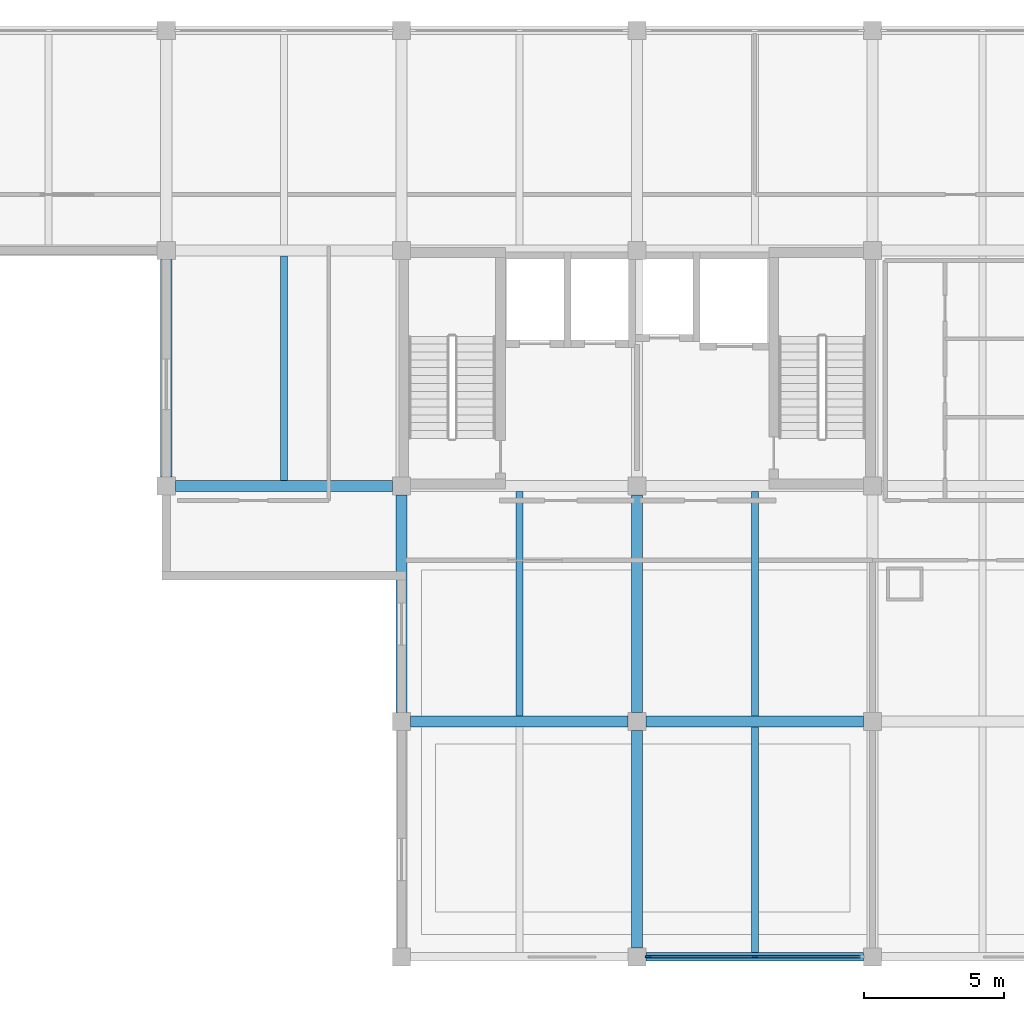
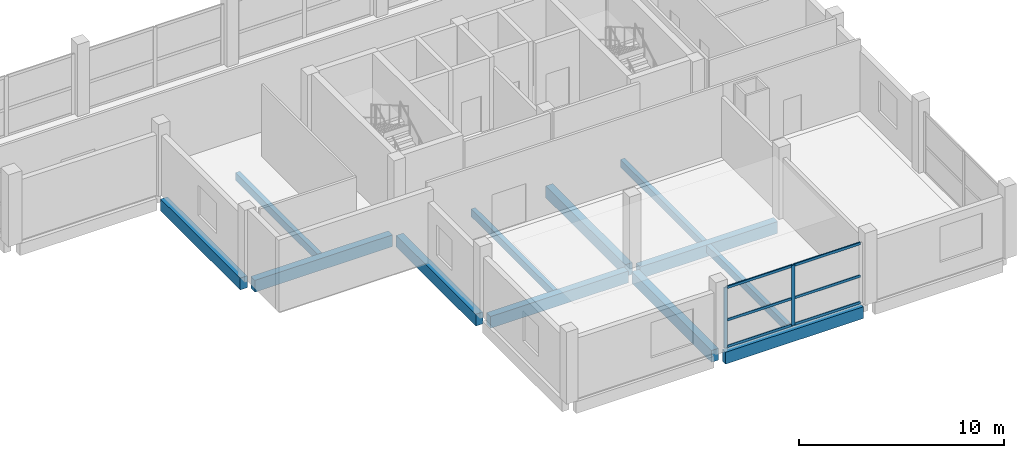
# One storey, part 2 of 9: 12 beams, 8 members, 1 element without a shape of its own.
"""IFC4 building model written with IfcOpenShell, lengths in metres."""

from ifc_helpers import new_model, si_unit, direction, frame, origin, origin_2d, place, context, subcontext, project, spatial, rectangle, extrude, material, material_profile, profile_set, type_object, element, aggregate, save


model = new_model("IFC4")

# Units and contexts
model_context = context("Model", 3, precision=1e-05, world=origin(), true_north=direction((0.0, 1.0)))
body_context = subcontext(model_context, "Body", "Model", "MODEL_VIEW")
ifc_project = project(units=[si_unit("LENGTHUNIT", "METRE"), si_unit("AREAUNIT", "SQUARE_METRE"), si_unit("VOLUMEUNIT", "CUBIC_METRE"), si_unit("PLANEANGLEUNIT", "RADIAN"), si_unit("MASSUNIT", "GRAM", prefix="KILO")], contexts=[model_context])

# Site, building, storey
site_placement = place(None, origin())
site = spatial("IfcSite", under=ifc_project, at=site_placement, CompositionType="ELEMENT")
building_placement = place(site_placement, origin())
building = spatial("IfcBuilding", under=site, at=building_placement, Name="Brinegate Botanical Conservatory", CompositionType="ELEMENT")
storey_placement = place(building_placement, frame((0.0, 0.0, 61.199951171875)))
storey = spatial("IfcBuildingStorey", under=building, at=storey_placement, Name="L15", CompositionType="ELEMENT", Elevation=61.199951171875)

# Beams
ifc_material_1 = material(Name="Concrete C40/50", Category="concrete")
ifc_material_profile_1 = material_profile(ifc_material_1, rectangle(XDim=0.39990234375, YDim=0.699951171875, at=origin_2d()), Name="RC BM 400x700")
ifc_profile_set_1 = profile_set([ifc_material_profile_1], Name="Concrete C40/50")
beam_type_1 = type_object("IfcBeamType", Name="Beam_BM-T2", PredefinedType="BEAM", material=ifc_profile_set_1)
for number, where, z_axis, x_axis, name in (
    (1, (139.125, 86.800048828125, -0.530029296875), (1.0, 0.0, 0.0), (0.0, 1.0, 0.0), "Beam BM-T2 L15 L:18-19"),
    (2, (147.52490234375, 86.800048828125, -0.530029296875), (1.0, 0.0, 0.0), (0.0, 1.0, 0.0), "Beam BM-T2 L15 L:19-20"),
    (3, (130.72509765625, 95.199951171875, -0.530029296875), (1.0, 0.0, 0.0), (0.0, 1.0, 0.0), "Beam BM-T2 L15 M:17-18"),
    (4, (130.39990234375, 95.52490234375, -0.530029296875), (0.0, 1.0, 0.0), (-1.0, 0.0, 0.0), "Beam BM-T2 L15 17:M-N"),
    (5, (138.800048828125, 87.125, -0.530029296875), (0.0, 1.0, 0.0), (-1.0, 0.0, 0.0), "Beam BM-T2 L15 18:L-M"),
    (6, (147.199951171875, 78.72509765625, -0.530029296875), (0.0, 1.0, 0.0), (-1.0, 0.0, 0.0), "Beam BM-T2 L15 19:K-L"),
    (7, (147.199951171875, 87.125, -0.530029296875), (0.0, 1.0, 0.0), (-1.0, 0.0, 0.0), "Beam BM-T2 L15 19:L-M"),
):
    element("IfcBeam", number, at=place(storey_placement, frame(where, z_axis=z_axis, x_axis=x_axis)), inside=storey, type_object=beam_type_1, Name=name, PredefinedType="BEAM", context=body_context, shape_type="SweptSolid", body=[
        extrude(rectangle(XDim=0.39990234375, YDim=0.699951171875, at=origin_2d()), origin(), (0.0, 0.0, 1.0), 7.75),
    ])
ifc_material_profile_2 = material_profile(ifc_material_1, rectangle(XDim=0.25, YDim=0.449951171875, at=origin_2d()), Name="RC JST 250x450")
ifc_profile_set_2 = profile_set([ifc_material_profile_2], Name="Concrete C40/50")
beam_type_2 = type_object("IfcBeamType", Name="Beam_JS-C3", PredefinedType="JOIST", material=ifc_profile_set_2)
for number, where, z_axis, x_axis, name in (
    (8, (134.60009765625, 95.39990234375, -0.405029296875), (0.0, 1.0, 0.0), (-1.0, 0.0, 0.0), "Floor joist JS-C3 L15 bay 17.12"),
    (9, (143.0, 87.0, -0.405029296875), (0.0, 1.0, 0.0), (-1.0, 0.0, 0.0), "Floor joist JS-C3 L15 bay 18.11"),
):
    element("IfcBeam", number, at=place(storey_placement, frame(where, z_axis=z_axis, x_axis=x_axis)), inside=storey, type_object=beam_type_2, Name=name, PredefinedType="JOIST", context=body_context, shape_type="SweptSolid", body=[
        extrude(rectangle(XDim=0.25, YDim=0.449951171875, at=origin_2d()), origin(), (0.0, 0.0, 1.0), 8.0),
    ])
beam_1_placement = place(storey_placement, frame((151.39990234375, 78.550048828125, -0.405029296875), z_axis=(0.0, 1.0, 0.0), x_axis=(-1.0, 0.0, 0.0)))
element("IfcBeam", 10, at=beam_1_placement, inside=storey, type_object=beam_type_2, Name="Floor joist JS-C3 L15 bay 19.10", PredefinedType="JOIST", context=body_context, shape_type="SweptSolid", body=[
    extrude(rectangle(XDim=0.25, YDim=0.449951171875, at=origin_2d()), origin(), (0.0, 0.0, 1.0), 8.050048828125),
])
beam_2_placement = place(storey_placement, frame((151.39990234375, 87.0, -0.405029296875), z_axis=(0.0, 1.0, 0.0), x_axis=(-1.0, 0.0, 0.0)))
element("IfcBeam", 11, at=beam_2_placement, inside=storey, type_object=beam_type_2, Name="Floor joist JS-C3 L15 bay 19.11", PredefinedType="JOIST", context=body_context, shape_type="SweptSolid", body=[
    extrude(rectangle(XDim=0.25, YDim=0.449951171875, at=origin_2d()), origin(), (0.0, 0.0, 1.0), 8.0),
])
ifc_material_profile_3 = material_profile(ifc_material_1, rectangle(XDim=0.300048828125, YDim=0.699951171875, at=origin_2d()), Name="RC SPN 300x700")
ifc_profile_set_3 = profile_set([ifc_material_profile_3], Name="Concrete C40/50")
beam_type_3 = type_object("IfcBeamType", Name="Beam_SP-02", PredefinedType="SPANDREL", material=ifc_profile_set_3)
beam_3_placement = place(storey_placement, frame((147.52490234375, 78.39990234375, -0.530029296875), z_axis=(1.0, 0.0, 0.0), x_axis=(0.0, 1.0, 0.0)))
element("IfcBeam", 12, at=beam_3_placement, inside=storey, type_object=beam_type_3, Name="Beam SP-02 L15 K:19-20", PredefinedType="SPANDREL", context=body_context, shape_type="SweptSolid", body=[
    extrude(rectangle(XDim=0.300048828125, YDim=0.699951171875, at=origin_2d()), origin(), (0.0, 0.0, 1.0), 7.75),
])

# Curtain wall, members
ifc_material_2 = material(Name="Thermally broken anodised aluminium AW-6063-T6", Category="aluminium")
curtain_wall_type = type_object("IfcCurtainWallType", Name="CW_CW-TW2", PredefinedType="USERDEFINED", material=ifc_material_2)
curtain_wall_placement = place(storey_placement, origin())
curtain_wall = element("IfcCurtainWall", 13, at=curtain_wall_placement, inside=storey, type_object=curtain_wall_type, Name="Tower south curtain wall L15.2", ObjectType="FACTORY CURTAIN WALL", PredefinedType="USERDEFINED")
ifc_material_profile_4 = material_profile(ifc_material_2, rectangle(XDim=0.070068359375, YDim=0.199951171875, at=origin_2d()), Name="ALUM MULLION 70x200")
ifc_profile_set_4 = profile_set([ifc_material_profile_4], Name="Thermally broken anodised aluminium AW-6063-T6")
member_type_1 = type_object("IfcMemberType", Name="Member_ML-03", PredefinedType="MULLION", material=ifc_profile_set_4)
member_1_placement = place(storey_placement, frame((151.39990234375, 78.39990234375, 0.0), z_axis=(0.0, 0.0, 1.0), x_axis=(0.0, -1.0, 0.0)))
member_1 = element("IfcMember", 14, at=member_1_placement, type_object=member_type_1, Name="CW-TW2 mullion 2", PredefinedType="MULLION", context=body_context, shape_type="SweptSolid", body=[
    extrude(rectangle(XDim=0.070068359375, YDim=0.199951171875, at=origin_2d()), origin(), (0.0, 0.0, 1.0), 3.580078125),
])
member_2_placement = place(storey_placement, frame((147.60009765625, 78.39990234375, 0.0), z_axis=(0.0, 0.0, 1.0), x_axis=(0.0, -1.0, 0.0)))
member_2 = element("IfcMember", 15, at=member_2_placement, type_object=member_type_1, Name="CW-TW2 mullion 3", PredefinedType="MULLION", context=body_context, shape_type="SweptSolid", body=[
    extrude(rectangle(XDim=0.070068359375, YDim=0.199951171875, at=origin_2d()), origin(), (0.0, 0.0, 1.0), 3.580078125),
])
ifc_material_profile_5 = material_profile(ifc_material_2, rectangle(XDim=0.070068359375, YDim=0.14990234375, at=origin_2d()), Name="ALUM TRANSOM 70x150")
ifc_profile_set_5 = profile_set([ifc_material_profile_5], Name="Thermally broken anodised aluminium AW-6063-T6")
member_type_2 = type_object("IfcMemberType", Name="Member_TR-03", PredefinedType="USERDEFINED", material=ifc_profile_set_5)
member_3_placement = place(storey_placement, frame((155.1650390625, 78.39990234375, 0.03515625), z_axis=(-1.0, 0.0, 0.0), x_axis=(0.0, -1.0, 0.0)))
member_3 = element("IfcMember", 16, at=member_3_placement, type_object=member_type_2, Name="CW-TW2 transom 1.1", ObjectType="TRANSOM", PredefinedType="USERDEFINED", context=body_context, shape_type="SweptSolid", body=[
    extrude(rectangle(XDim=0.070068359375, YDim=0.14990234375, at=origin_2d()), origin(), (0.0, 0.0, 1.0), 3.72998046875),
])
member_4_placement = place(storey_placement, frame((155.1650390625, 78.39990234375, 1.611083984375), z_axis=(-1.0, 0.0, 0.0), x_axis=(0.0, -1.0, 0.0)))
member_4 = element("IfcMember", 17, at=member_4_placement, type_object=member_type_2, Name="CW-TW2 transom 1.2", ObjectType="TRANSOM", PredefinedType="USERDEFINED", context=body_context, shape_type="SweptSolid", body=[
    extrude(rectangle(XDim=0.070068359375, YDim=0.14990234375, at=origin_2d()), origin(), (0.0, 0.0, 1.0), 3.72998046875),
])
member_5_placement = place(storey_placement, frame((155.1650390625, 78.39990234375, 3.545166015625), z_axis=(-1.0, 0.0, 0.0), x_axis=(0.0, -1.0, 0.0)))
member_5 = element("IfcMember", 18, at=member_5_placement, type_object=member_type_2, Name="CW-TW2 transom 1.3", ObjectType="TRANSOM", PredefinedType="USERDEFINED", context=body_context, shape_type="SweptSolid", body=[
    extrude(rectangle(XDim=0.070068359375, YDim=0.14990234375, at=origin_2d()), origin(), (0.0, 0.0, 1.0), 3.72998046875),
])
member_6_placement = place(storey_placement, frame((151.364990234375, 78.39990234375, 0.03515625), z_axis=(-1.0, 0.0, 0.0), x_axis=(0.0, -1.0, 0.0)))
member_6 = element("IfcMember", 19, at=member_6_placement, type_object=member_type_2, Name="CW-TW2 transom 2.1", ObjectType="TRANSOM", PredefinedType="USERDEFINED", context=body_context, shape_type="SweptSolid", body=[
    extrude(rectangle(XDim=0.070068359375, YDim=0.14990234375, at=origin_2d()), origin(), (0.0, 0.0, 1.0), 3.72998046875),
])
member_7_placement = place(storey_placement, frame((151.364990234375, 78.39990234375, 1.611083984375), z_axis=(-1.0, 0.0, 0.0), x_axis=(0.0, -1.0, 0.0)))
member_7 = element("IfcMember", 20, at=member_7_placement, type_object=member_type_2, Name="CW-TW2 transom 2.2", ObjectType="TRANSOM", PredefinedType="USERDEFINED", context=body_context, shape_type="SweptSolid", body=[
    extrude(rectangle(XDim=0.070068359375, YDim=0.14990234375, at=origin_2d()), origin(), (0.0, 0.0, 1.0), 3.72998046875),
])
member_8_placement = place(storey_placement, frame((151.364990234375, 78.39990234375, 3.545166015625), z_axis=(-1.0, 0.0, 0.0), x_axis=(0.0, -1.0, 0.0)))
member_8 = element("IfcMember", 21, at=member_8_placement, type_object=member_type_2, Name="CW-TW2 transom 2.3", ObjectType="TRANSOM", PredefinedType="USERDEFINED", context=body_context, shape_type="SweptSolid", body=[
    extrude(rectangle(XDim=0.070068359375, YDim=0.14990234375, at=origin_2d()), origin(), (0.0, 0.0, 1.0), 3.72998046875),
])
aggregate(curtain_wall, [member_1, member_2, member_3, member_4, member_5, member_6, member_7, member_8])

save(model, "model.ifc")
